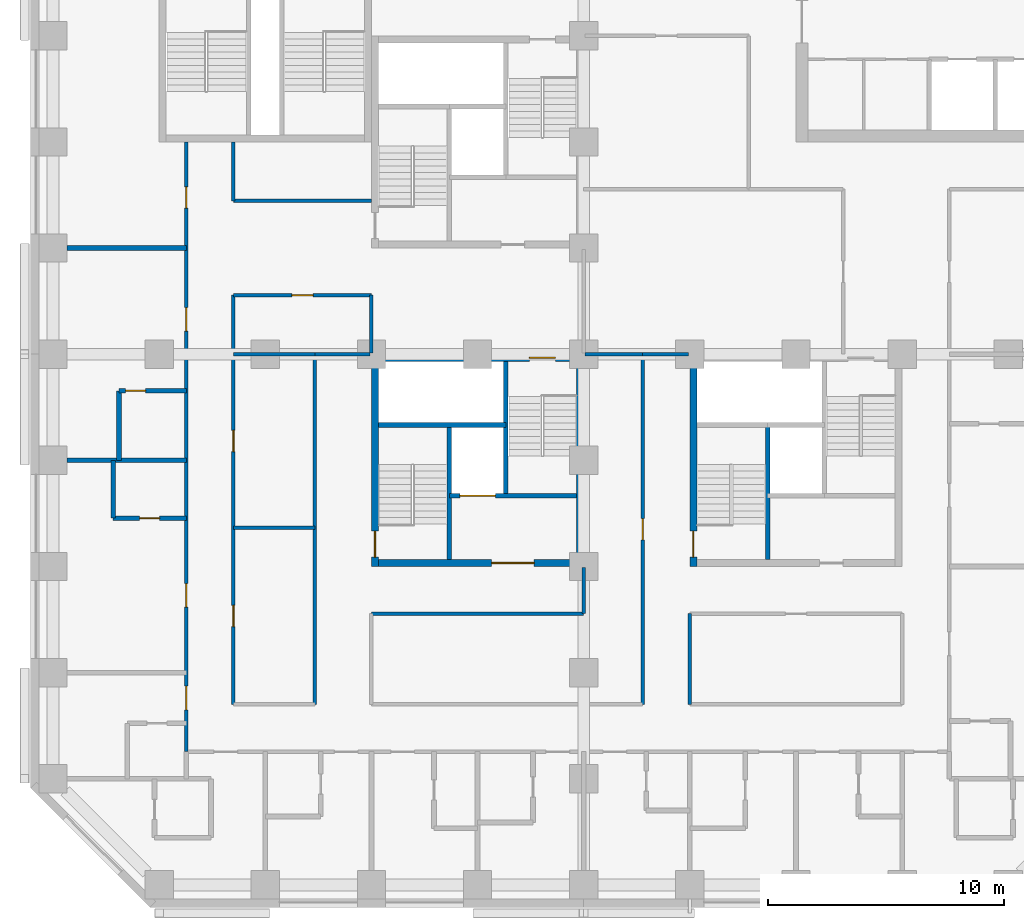
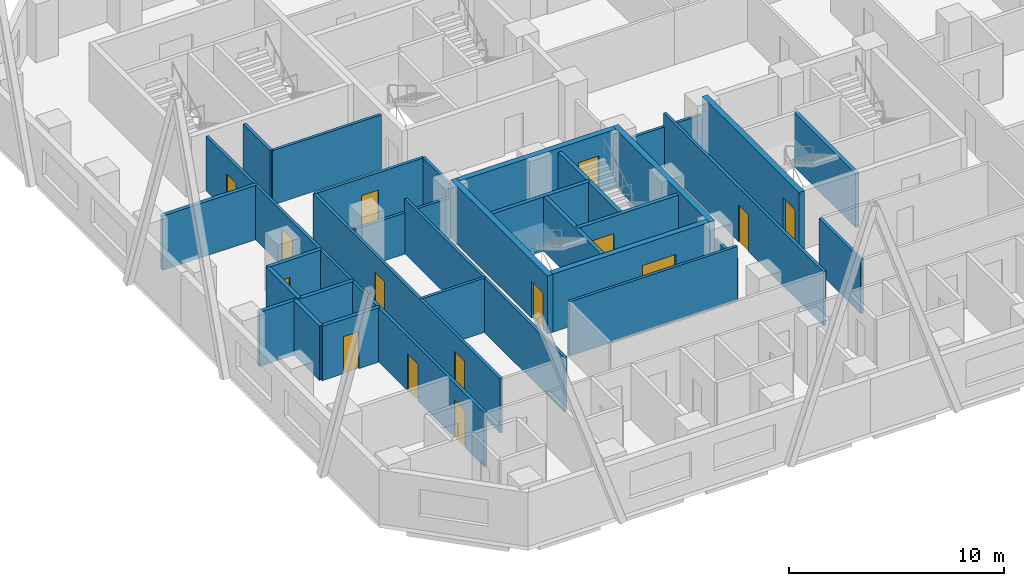
# One storey, part 4 of 13: 32 walls, 15 doors, 15 openings.
"""IFC4 building model written with IfcOpenShell, lengths in metres."""

from ifc_helpers import new_model, si_unit, direction, frame, frame_2d, origin, place, context, subcontext, project, spatial, rectangle, extrude, material, layer, layer_set, type_object, element, fill, save


model = new_model("IFC4")

# Units and contexts
model_context = context("Model", 3, precision=1e-05, world=origin(), true_north=direction((0.0, 1.0)))
body_context = subcontext(model_context, "Body", "Model", "MODEL_VIEW")
ifc_project = project(units=[si_unit("LENGTHUNIT", "METRE"), si_unit("AREAUNIT", "SQUARE_METRE"), si_unit("VOLUMEUNIT", "CUBIC_METRE"), si_unit("PLANEANGLEUNIT", "RADIAN"), si_unit("MASSUNIT", "GRAM", prefix="KILO")], contexts=[model_context])

# Site, building, storey
site_placement = place(None, origin())
site = spatial("IfcSite", under=ifc_project, at=site_placement, CompositionType="ELEMENT")
building_placement = place(site_placement, origin())
building = spatial("IfcBuilding", under=site, at=building_placement, Name="Quoin Convention Tower", CompositionType="ELEMENT")
storey_placement = place(building_placement, frame((0.0, 0.0, 26.39990234375)))
storey = spatial("IfcBuildingStorey", under=building, at=storey_placement, Name="L05", CompositionType="ELEMENT", Elevation=26.39990234375)

# Wall
ifc_material_1 = material(Name="Concrete C50", Category="concrete")
ifc_layer_1 = layer(ifc_material_1, 0.199951171875)
ifc_layer_set_1 = layer_set([ifc_layer_1], Name="Concrete C50")
wall_type_1 = type_object("IfcWallType", Name="Core shaft wall", PredefinedType="SOLIDWALL", material=ifc_layer_set_1)
wall_1_placement = place(storey_placement, frame((43.800048828125, 31.800048828125, 0.0), z_axis=(0.0, 0.0, 1.0), x_axis=(0.0, 1.0, 0.0)))
element("IfcWall", 1, at=wall_1_placement, inside=storey, type_object=wall_type_1, Name="cr-P3-L05-v3300_300", PredefinedType="SOLIDWALL", context=body_context, shape_type="SweptSolid", body=[
    extrude(rectangle(XDim=5.699951171875, YDim=0.199951171875, at=frame_2d((2.85009765625, 0.0))), origin(), (0.0, 0.0, 1.0), 3.080078125),
])

# Wall, opening, door
wall_2_placement = place(storey_placement, frame((30.300048828125, 34.5, 0.0), z_axis=(0.0, 0.0, 1.0), x_axis=(1.0, 0.0, 0.0)))
wall_2 = element("IfcWall", 2, at=wall_2_placement, inside=storey, type_object=wall_type_1, Name="cr-P4-L05-h3000_3300", PredefinedType="SOLIDWALL", context=body_context, shape_type="SweptSolid", body=[
    extrude(rectangle(XDim=5.39990234375, YDim=0.199951171875, at=frame_2d((2.699951171875, 0.0))), origin(), (0.0, 0.0, 1.0), 3.080078125),
])
opening_1_placement = place(wall_2_placement, frame((0.449951171875, 0.0, 0.0)))
opening_1 = element("IfcOpeningElement", 3, at=opening_1_placement, cuts=wall_2, Name="Opening LDGL1", PredefinedType="OPENING", context=body_context, shape_type="SweptSolid", body=[
    extrude(rectangle(XDim=1.5, YDim=2.10009765625, at=frame_2d((0.75, 1.050048828125))), frame((0.0, 0.10986328125, 0.0), z_axis=(0.0, -1.0, 0.0), x_axis=(1.0, 0.0, 0.0)), (0.0, 0.0, 1.0), 0.219970703125),
])
ifc_material_2 = material(Name="Steel door leaf", Category="steel")
door_type_1 = type_object("IfcDoorType", Name="Lift landing door 1500 x 2100", OperationType="DOUBLE_DOOR_SLIDING", PredefinedType="DOOR", material=ifc_material_2)
door_1_placement = place(opening_1_placement, origin())
door_1 = element("IfcDoor", 4, at=door_1_placement, inside=storey, type_object=door_type_1, Name="cd-P4-L05-CEN-R2-LDGL1", OperationType="DOUBLE_DOOR_SLIDING", OverallHeight=2.10009765625, OverallWidth=1.5, PredefinedType="DOOR", context=body_context, shape_type="SweptSolid", body=[
    extrude(rectangle(XDim=1.5, YDim=2.10009765625, at=frame_2d((0.75, 1.050048828125))), frame((0.0, 0.02490234375, 0.0), z_axis=(0.0, -1.0, 0.0), x_axis=(1.0, 0.0, 0.0)), (0.0, 0.0, 1.0), 0.050048828125),
])
fill(opening_1, door_1)

# Walls
wall_3_placement = place(storey_placement, frame((27.300048828125, 37.5, 0.0), z_axis=(0.0, 0.0, 1.0), x_axis=(1.0, 0.0, 0.0)))
element("IfcWall", 5, at=wall_3_placement, inside=storey, type_object=wall_type_1, Name="cr-P4-L05-h6000_300", PredefinedType="SOLIDWALL", context=body_context, shape_type="SweptSolid", body=[
    extrude(rectangle(XDim=5.39990234375, YDim=0.199951171875, at=frame_2d((2.699951171875, 0.0))), origin(), (0.0, 0.0, 1.0), 3.080078125),
])
for number, where, z_axis, x_axis, name in (
    (6, (30.300048828125, 31.800048828125, 0.0), (0.0, 0.0, 1.0), (0.0, 1.0, 0.0), "cr-P4-L05-v3300_300"),
    (7, (32.699951171875, 34.5, 0.0), (0.0, 0.0, 1.0), (0.0, 1.0, 0.0), "cr-P4-L05-v5700_3000"),
):
    element("IfcWall", number, at=place(storey_placement, frame(where, z_axis=z_axis, x_axis=x_axis)), inside=storey, type_object=wall_type_1, Name=name, PredefinedType="SOLIDWALL", context=body_context, shape_type="SweptSolid", body=[
        extrude(rectangle(XDim=5.699951171875, YDim=0.199951171875, at=frame_2d((2.85009765625, 0.0))), origin(), (0.0, 0.0, 1.0), 3.080078125),
    ])

# Wall, opening, door
ifc_material_3 = material(Name="Concrete C80", Category="concrete")
ifc_layer_2 = layer(ifc_material_3, 0.300048828125)
ifc_layer_set_2 = layer_set([ifc_layer_2], Name="Concrete C80")
wall_type_2 = type_object("IfcWallType", Name="RC CORE WALL 300 C80", PredefinedType="SHEAR", material=ifc_layer_set_2)
wall_4_placement = place(storey_placement, frame((40.64990234375, 31.5, 0.0), z_axis=(0.0, 0.0, 1.0), x_axis=(0.0, 1.0, 0.0)))
wall_4 = element("IfcWall", 8, at=wall_4_placement, inside=storey, type_object=wall_type_2, Name="cwl-P3-L05-W", PredefinedType="SHEAR", context=body_context, shape_type="SweptSolid", body=[
    extrude(rectangle(XDim=9.0, YDim=0.300048828125, at=frame_2d((4.5, 0.0))), origin(), (0.0, 0.0, 1.0), 3.300048828125),
])
opening_2_placement = place(wall_4_placement, frame((0.39990234375, 0.0, 0.0)))
opening_2 = element("IfcOpeningElement", 9, at=opening_2_placement, cuts=wall_4, Name="Opening SD5", PredefinedType="OPENING", context=body_context, shape_type="SweptSolid", body=[
    extrude(rectangle(XDim=1.10009765625, YDim=2.10009765625, at=frame_2d((0.550048828125, 1.050048828125))), frame((0.0, 0.159912109375, 0.0), z_axis=(0.0, -1.0, 0.0), x_axis=(1.0, 0.0, 0.0)), (0.0, 0.0, 1.0), 0.320068359375),
])
door_type_2 = type_object("IfcDoorType", Name="Stair door 1100 x 2100", OperationType="SINGLE_SWING_RIGHT", PredefinedType="DOOR", material=ifc_material_2)
door_2_placement = place(opening_2_placement, frame((1.10009765625, 0.0, 0.0), z_axis=(0.0, 0.0, 1.0), x_axis=(-1.0, 0.0, 0.0)))
door_2 = element("IfcDoor", 10, at=door_2_placement, inside=storey, type_object=door_type_2, Name="cd-P3-L05-SA-W", OperationType="SINGLE_SWING_RIGHT", OverallHeight=2.10009765625, OverallWidth=1.10009765625, PredefinedType="DOOR", context=body_context, shape_type="SweptSolid", body=[
    extrude(rectangle(XDim=1.10009765625, YDim=2.10009765625, at=frame_2d((0.550048828125, 1.050048828125))), frame((0.0, 0.02490234375, 0.0), z_axis=(0.0, -1.0, 0.0), x_axis=(1.0, 0.0, 0.0)), (0.0, 0.0, 1.0), 0.050048828125),
])
fill(opening_2, door_2)

wall_5_placement = place(storey_placement, frame((27.300048828125, 31.64990234375, 0.0), z_axis=(0.0, 0.0, 1.0), x_axis=(1.0, 0.0, 0.0)))
wall_5 = element("IfcWall", 11, at=wall_5_placement, inside=storey, type_object=wall_type_2, Name="cwl-P4-L05-S", PredefinedType="SHEAR", context=body_context, shape_type="SweptSolid", body=[
    extrude(rectangle(XDim=8.39990234375, YDim=0.300048828125, at=frame_2d((4.199951171875, 0.0))), origin(), (0.0, 0.0, 1.0), 3.300048828125),
])
opening_3_placement = place(wall_5_placement, frame((4.800048828125, 0.0, 0.0)))
opening_3 = element("IfcOpeningElement", 12, at=opening_3_placement, cuts=wall_5, Name="Opening DCV2-43", PredefinedType="OPENING", context=body_context, shape_type="SweptSolid", body=[
    extrude(rectangle(XDim=1.800048828125, YDim=2.10009765625, at=frame_2d((0.89990234375, 1.050048828125))), frame((0.0, 0.159912109375, 0.0), z_axis=(0.0, -1.0, 0.0), x_axis=(1.0, 0.0, 0.0)), (0.0, 0.0, 1.0), 0.320068359375),
])
door_type_3 = type_object("IfcDoorType", Name="Goods lobby door 1800 x 2100", OperationType="SINGLE_SWING_LEFT", PredefinedType="DOOR", material=ifc_material_2)
door_3_placement = place(opening_3_placement, origin())
door_3 = element("IfcDoor", 13, at=door_3_placement, inside=storey, type_object=door_type_3, Name="cd-P4-L05-R2-S", OperationType="SINGLE_SWING_LEFT", OverallHeight=2.10009765625, OverallWidth=1.800048828125, PredefinedType="DOOR", context=body_context, shape_type="SweptSolid", body=[
    extrude(rectangle(XDim=1.800048828125, YDim=2.10009765625, at=frame_2d((0.89990234375, 1.050048828125))), frame((0.0, 0.02490234375, 0.0), z_axis=(0.0, -1.0, 0.0), x_axis=(1.0, 0.0, 0.0)), (0.0, 0.0, 1.0), 0.050048828125),
])
fill(opening_3, door_3)

wall_6_placement = place(storey_placement, frame((27.300048828125, 40.35009765625, 0.0), z_axis=(0.0, 0.0, 1.0), x_axis=(1.0, 0.0, 0.0)))
wall_6 = element("IfcWall", 14, at=wall_6_placement, inside=storey, type_object=wall_type_2, Name="cwl-P4-L05-N", PredefinedType="SHEAR", context=body_context, shape_type="SweptSolid", body=[
    extrude(rectangle(XDim=8.39990234375, YDim=0.300048828125, at=frame_2d((4.199951171875, 0.0))), origin(), (0.0, 0.0, 1.0), 3.300048828125),
])
opening_4_placement = place(wall_6_placement, frame((6.39990234375, 0.0, 0.0)))
opening_4 = element("IfcOpeningElement", 15, at=opening_4_placement, cuts=wall_6, Name="Opening SD8", PredefinedType="OPENING", context=body_context, shape_type="SweptSolid", body=[
    extrude(rectangle(XDim=1.10009765625, YDim=2.10009765625, at=frame_2d((0.550048828125, 1.050048828125))), frame((0.0, 0.159912109375, 0.0), z_axis=(0.0, -1.0, 0.0), x_axis=(1.0, 0.0, 0.0)), (0.0, 0.0, 1.0), 0.320068359375),
])
door_4_placement = place(opening_4_placement, frame((1.10009765625, 0.0, 0.0), z_axis=(0.0, 0.0, 1.0), x_axis=(-1.0, 0.0, 0.0)))
door_4 = element("IfcDoor", 16, at=door_4_placement, inside=storey, type_object=door_type_2, Name="cd-P4-L05-SB-N", OperationType="SINGLE_SWING_LEFT", OverallHeight=2.10009765625, OverallWidth=1.10009765625, PredefinedType="DOOR", context=body_context, shape_type="SweptSolid", body=[
    extrude(rectangle(XDim=1.10009765625, YDim=2.10009765625, at=frame_2d((0.550048828125, 1.050048828125))), frame((0.0, 0.02490234375, 0.0), z_axis=(0.0, -1.0, 0.0), x_axis=(1.0, 0.0, 0.0)), (0.0, 0.0, 1.0), 0.050048828125),
])
fill(opening_4, door_4)

wall_7_placement = place(storey_placement, frame((27.14990234375, 31.5, 0.0), z_axis=(0.0, 0.0, 1.0), x_axis=(0.0, 1.0, 0.0)))
wall_7 = element("IfcWall", 17, at=wall_7_placement, inside=storey, type_object=wall_type_2, Name="cwl-P4-L05-W", PredefinedType="SHEAR", context=body_context, shape_type="SweptSolid", body=[
    extrude(rectangle(XDim=9.0, YDim=0.300048828125, at=frame_2d((4.5, 0.0))), origin(), (0.0, 0.0, 1.0), 3.300048828125),
])
opening_5_placement = place(wall_7_placement, frame((0.39990234375, 0.0, 0.0)))
opening_5 = element("IfcOpeningElement", 18, at=opening_5_placement, cuts=wall_7, Name="Opening SD7", PredefinedType="OPENING", context=body_context, shape_type="SweptSolid", body=[
    extrude(rectangle(XDim=1.10009765625, YDim=2.10009765625, at=frame_2d((0.550048828125, 1.050048828125))), frame((0.0, 0.159912109375, 0.0), z_axis=(0.0, -1.0, 0.0), x_axis=(1.0, 0.0, 0.0)), (0.0, 0.0, 1.0), 0.320068359375),
])
door_5_placement = place(opening_5_placement, frame((1.10009765625, 0.0, 0.0), z_axis=(0.0, 0.0, 1.0), x_axis=(-1.0, 0.0, 0.0)))
door_5 = element("IfcDoor", 19, at=door_5_placement, inside=storey, type_object=door_type_2, Name="cd-P4-L05-SA-W", OperationType="SINGLE_SWING_RIGHT", OverallHeight=2.10009765625, OverallWidth=1.10009765625, PredefinedType="DOOR", context=body_context, shape_type="SweptSolid", body=[
    extrude(rectangle(XDim=1.10009765625, YDim=2.10009765625, at=frame_2d((0.550048828125, 1.050048828125))), frame((0.0, 0.02490234375, 0.0), z_axis=(0.0, -1.0, 0.0), x_axis=(1.0, 0.0, 0.0)), (0.0, 0.0, 1.0), 0.050048828125),
])
fill(opening_5, door_5)

# Wall
wall_8_placement = place(storey_placement, frame((35.85009765625, 31.5, 0.0), z_axis=(0.0, 0.0, 1.0), x_axis=(0.0, 1.0, 0.0)))
element("IfcWall", 20, at=wall_8_placement, inside=storey, type_object=wall_type_2, Name="cwl-P4-L05-E", PredefinedType="SHEAR", context=body_context, shape_type="SweptSolid", body=[
    extrude(rectangle(XDim=9.0, YDim=0.300048828125, at=frame_2d((4.5, 0.0))), origin(), (0.0, 0.0, 1.0), 3.300048828125),
])

# Wall, opening, door
ifc_layer_3 = layer(ifc_material_1, 0.199951171875)
ifc_layer_set_3 = layer_set([ifc_layer_3], Name="Concrete C50")
wall_type_3 = type_object("IfcWallType", Name="RC party wall", PredefinedType="SOLIDWALL", material=ifc_layer_set_3)
wall_9_placement = place(storey_placement, frame((16.050048828125, 33.550048828125, 0.0), z_axis=(0.0, 0.0, 1.0), x_axis=(1.0, 0.0, 0.0)))
wall_9 = element("IfcWall", 21, at=wall_9_placement, inside=storey, type_object=wall_type_3, Name="pw-L05-072", PredefinedType="SOLIDWALL", context=body_context, shape_type="SweptSolid", body=[
    extrude(rectangle(XDim=3.099853515625, YDim=0.199951171875, at=frame_2d((1.5498046875, 0.0))), origin(), (0.0, 0.0, 1.0), 3.080078125),
])
opening_6_placement = place(wall_9_placement, frame((1.125, 0.0, 0.0)))
opening_6 = element("IfcOpeningElement", 22, at=opening_6_placement, cuts=wall_9, Name="Opening DHOTEL-A-49", PredefinedType="OPENING", context=body_context, shape_type="SweptSolid", body=[
    extrude(rectangle(XDim=0.85009765625, YDim=2.10009765625, at=frame_2d((0.425048828125, 1.050048828125))), frame((0.0, 0.10986328125, 0.0), z_axis=(0.0, -1.0, 0.0), x_axis=(1.0, 0.0, 0.0)), (0.0, 0.0, 1.0), 0.219970703125),
])
door_type_4 = type_object("IfcDoorType", Name="Bathroom door", OperationType="SINGLE_SWING_LEFT", PredefinedType="DOOR", material=ifc_material_2)
door_6_placement = place(opening_6_placement, frame((0.85009765625, 0.0, 0.0), z_axis=(0.0, 0.0, 1.0), x_axis=(-1.0, 0.0, 0.0)))
door_6 = element("IfcDoor", 23, at=door_6_placement, inside=storey, type_object=door_type_4, Name="dr-L05-016", OperationType="SINGLE_SWING_LEFT", OverallHeight=2.10009765625, OverallWidth=0.85009765625, PredefinedType="DOOR", context=body_context, shape_type="SweptSolid", body=[
    extrude(rectangle(XDim=0.85009765625, YDim=2.10009765625, at=frame_2d((0.425048828125, 1.050048828125))), frame((0.0, 0.02490234375, 0.0), z_axis=(0.0, -1.0, 0.0), x_axis=(1.0, 0.0, 0.0)), (0.0, 0.0, 1.0), 0.050048828125),
])
fill(opening_6, door_6)

# Walls
wall_10_placement = place(storey_placement, frame((16.050048828125, 33.550048828125, 0.0), z_axis=(0.0, 0.0, 1.0), x_axis=(0.0, 1.0, 0.0)))
element("IfcWall", 24, at=wall_10_placement, inside=storey, type_object=wall_type_3, Name="pw-L05-073", PredefinedType="SOLIDWALL", context=body_context, shape_type="SweptSolid", body=[
    extrude(rectangle(XDim=2.449951171875, YDim=0.199951171875, at=frame_2d((1.22509765625, 0.0))), origin(), (0.0, 0.0, 1.0), 3.080078125),
])
wall_11_placement = place(storey_placement, frame((14.10009765625, 36.0, 0.0), z_axis=(0.0, 0.0, 1.0), x_axis=(1.0, 0.0, 0.0)))
element("IfcWall", 25, at=wall_11_placement, inside=storey, type_object=wall_type_3, Name="pw-L05-074", PredefinedType="SOLIDWALL", context=body_context, shape_type="SweptSolid", body=[
    extrude(rectangle(XDim=5.0498046875, YDim=0.199951171875, at=frame_2d((2.52490234375, 0.0))), origin(), (0.0, 0.0, 1.0), 3.080078125),
])
wall_12_placement = place(storey_placement, frame((16.300048828125, 36.0, 0.0), z_axis=(0.0, 0.0, 1.0), x_axis=(0.0, 1.0, 0.0)))
element("IfcWall", 26, at=wall_12_placement, inside=storey, type_object=wall_type_3, Name="pw-L05-075", PredefinedType="SOLIDWALL", context=body_context, shape_type="SweptSolid", body=[
    extrude(rectangle(XDim=2.949951171875, YDim=0.199951171875, at=frame_2d((1.47509765625, 0.0))), origin(), (0.0, 0.0, 1.0), 3.080078125),
])

# Wall, opening, door
wall_13_placement = place(storey_placement, frame((16.300048828125, 38.949951171875, 0.0), z_axis=(0.0, 0.0, 1.0), x_axis=(1.0, 0.0, 0.0)))
wall_13 = element("IfcWall", 27, at=wall_13_placement, inside=storey, type_object=wall_type_3, Name="pw-L05-078", PredefinedType="SOLIDWALL", context=body_context, shape_type="SweptSolid", body=[
    extrude(rectangle(XDim=2.849853515625, YDim=0.199951171875, at=frame_2d((1.4248046875, 0.0))), origin(), (0.0, 0.0, 1.0), 3.080078125),
])
opening_7_placement = place(wall_13_placement, frame((0.27490234375, 0.0, 0.0)))
opening_7 = element("IfcOpeningElement", 28, at=opening_7_placement, cuts=wall_13, Name="Opening DHOTEL-A-51", PredefinedType="OPENING", context=body_context, shape_type="SweptSolid", body=[
    extrude(rectangle(XDim=0.85009765625, YDim=2.10009765625, at=frame_2d((0.425048828125, 1.050048828125))), frame((0.0, 0.10986328125, 0.0), z_axis=(0.0, -1.0, 0.0), x_axis=(1.0, 0.0, 0.0)), (0.0, 0.0, 1.0), 0.219970703125),
])
door_7_placement = place(opening_7_placement, origin())
door_7 = element("IfcDoor", 29, at=door_7_placement, inside=storey, type_object=door_type_4, Name="dr-L05-018", OperationType="SINGLE_SWING_LEFT", OverallHeight=2.10009765625, OverallWidth=0.85009765625, PredefinedType="DOOR", context=body_context, shape_type="SweptSolid", body=[
    extrude(rectangle(XDim=0.85009765625, YDim=2.10009765625, at=frame_2d((0.425048828125, 1.050048828125))), frame((0.0, 0.02490234375, 0.0), z_axis=(0.0, -1.0, 0.0), x_axis=(1.0, 0.0, 0.0)), (0.0, 0.0, 1.0), 0.050048828125),
])
fill(opening_7, door_7)

# Wall
wall_14_placement = place(storey_placement, frame((14.10009765625, 45.0, 0.0), z_axis=(0.0, 0.0, 1.0), x_axis=(1.0, 0.0, 0.0)))
element("IfcWall", 30, at=wall_14_placement, inside=storey, type_object=wall_type_3, Name="pw-L05-088", PredefinedType="SOLIDWALL", context=body_context, shape_type="SweptSolid", body=[
    extrude(rectangle(XDim=5.0498046875, YDim=0.199951171875, at=frame_2d((2.52490234375, 0.0))), origin(), (0.0, 0.0, 1.0), 3.080078125),
])

# Wall, openings, doors
ifc_material_4 = material(Name="Plasterboard")
ifc_layer_4 = layer(ifc_material_4, 0.012451171875, Name="Finish")
ifc_material_5 = material(Name="Steel stud framing", Category="steel")
ifc_layer_5 = layer(ifc_material_5, 0.125, Name="Structure")
ifc_layer_6 = layer(ifc_material_4, 0.012451171875, Name="Finish")
ifc_layer_set_4 = layer_set([ifc_layer_4, ifc_layer_5, ifc_layer_6], Name="Steel stud framing")
wall_type_4 = type_object("IfcWallType", Name="corridor partition", PredefinedType="PARTITIONING", material=ifc_layer_set_4)
wall_15_placement = place(storey_placement, frame((19.14990234375, 23.64990234375, 0.0), z_axis=(0.0, 0.0, 1.0), x_axis=(0.0, 1.0, 0.0)))
wall_15 = element("IfcWall", 31, at=wall_15_placement, inside=storey, type_object=wall_type_4, Name="pw-L05-006", PredefinedType="PARTITIONING", context=body_context, shape_type="SweptSolid", body=[
    extrude(rectangle(XDim=25.85009765625, YDim=0.14990234375, at=frame_2d((12.925048828125, 0.0))), origin(), (0.0, 0.0, 1.0), 3.080078125),
])
opening_8_placement = place(wall_15_placement, frame((1.77490234375, 0.0, 0.0)))
opening_8 = element("IfcOpeningElement", 32, at=opening_8_placement, cuts=wall_15, Name="Opening DHOTEL-A-09", PredefinedType="OPENING", context=body_context, shape_type="SweptSolid", body=[
    extrude(rectangle(XDim=1.0, YDim=2.10009765625, at=frame_2d((0.5, 1.050048828125))), frame((0.0, 0.0849609375, 0.0), z_axis=(0.0, -1.0, 0.0), x_axis=(1.0, 0.0, 0.0)), (0.0, 0.0, 1.0), 0.169921875),
])
opening_9_placement = place(wall_15_placement, frame((6.125, 0.0, 0.0)))
opening_9 = element("IfcOpeningElement", 33, at=opening_9_placement, cuts=wall_15, Name="Opening DHOTEL-A-10", PredefinedType="OPENING", context=body_context, shape_type="SweptSolid", body=[
    extrude(rectangle(XDim=1.0, YDim=2.10009765625, at=frame_2d((0.5, 1.050048828125))), frame((0.0, 0.0849609375, 0.0), z_axis=(0.0, -1.0, 0.0), x_axis=(1.0, 0.0, 0.0)), (0.0, 0.0, 1.0), 0.169921875),
])
opening_10_placement = place(wall_15_placement, frame((17.824951171875, 0.0, 0.0)))
opening_10 = element("IfcOpeningElement", 34, at=opening_10_placement, cuts=wall_15, Name="Opening DHOTEL-A-11", PredefinedType="OPENING", context=body_context, shape_type="SweptSolid", body=[
    extrude(rectangle(XDim=1.0, YDim=2.10009765625, at=frame_2d((0.5, 1.050048828125))), frame((0.0, 0.0849609375, 0.0), z_axis=(0.0, -1.0, 0.0), x_axis=(1.0, 0.0, 0.0)), (0.0, 0.0, 1.0), 0.169921875),
])
opening_11_placement = place(wall_15_placement, frame((23.0400390625, 0.0, 0.0)))
opening_11 = element("IfcOpeningElement", 35, at=opening_11_placement, cuts=wall_15, Name="Opening DHOTEL-A-12", PredefinedType="OPENING", context=body_context, shape_type="SweptSolid", body=[
    extrude(rectangle(XDim=0.89990234375, YDim=2.10009765625, at=frame_2d((0.449951171875, 1.050048828125))), frame((0.0, 0.0849609375, 0.0), z_axis=(0.0, -1.0, 0.0), x_axis=(1.0, 0.0, 0.0)), (0.0, 0.0, 1.0), 0.169921875),
])
door_type_5 = type_object("IfcDoorType", Name="Hotel room door", OperationType="SINGLE_SWING_LEFT", PredefinedType="DOOR", material=ifc_material_2)
door_8_placement = place(opening_8_placement, origin())
door_8 = element("IfcDoor", 36, at=door_8_placement, inside=storey, type_object=door_type_5, Name="dr-L05-013", OperationType="SINGLE_SWING_RIGHT", OverallHeight=2.10009765625, OverallWidth=1.0, PredefinedType="DOOR", context=body_context, shape_type="SweptSolid", body=[
    extrude(rectangle(XDim=1.0, YDim=2.10009765625, at=frame_2d((0.5, 1.050048828125))), frame((0.0, 0.02490234375, 0.0), z_axis=(0.0, -1.0, 0.0), x_axis=(1.0, 0.0, 0.0)), (0.0, 0.0, 1.0), 0.050048828125),
])
fill(opening_8, door_8)
door_9_placement = place(opening_9_placement, origin())
door_9 = element("IfcDoor", 37, at=door_9_placement, inside=storey, type_object=door_type_5, Name="dr-L05-015", OperationType="SINGLE_SWING_RIGHT", OverallHeight=2.10009765625, OverallWidth=1.0, PredefinedType="DOOR", context=body_context, shape_type="SweptSolid", body=[
    extrude(rectangle(XDim=1.0, YDim=2.10009765625, at=frame_2d((0.5, 1.050048828125))), frame((0.0, 0.02490234375, 0.0), z_axis=(0.0, -1.0, 0.0), x_axis=(1.0, 0.0, 0.0)), (0.0, 0.0, 1.0), 0.050048828125),
])
fill(opening_9, door_9)
door_10_placement = place(opening_10_placement, origin())
door_10 = element("IfcDoor", 38, at=door_10_placement, inside=storey, type_object=door_type_5, Name="dr-L05-017", OperationType="SINGLE_SWING_RIGHT", OverallHeight=2.10009765625, OverallWidth=1.0, PredefinedType="DOOR", context=body_context, shape_type="SweptSolid", body=[
    extrude(rectangle(XDim=1.0, YDim=2.10009765625, at=frame_2d((0.5, 1.050048828125))), frame((0.0, 0.02490234375, 0.0), z_axis=(0.0, -1.0, 0.0), x_axis=(1.0, 0.0, 0.0)), (0.0, 0.0, 1.0), 0.050048828125),
])
fill(opening_10, door_10)
door_type_6 = type_object("IfcDoorType", Name="Single room door", OperationType="SINGLE_SWING_RIGHT", PredefinedType="DOOR", material=ifc_material_2)
door_11_placement = place(opening_11_placement, origin())
door_11 = element("IfcDoor", 39, at=door_11_placement, inside=storey, type_object=door_type_6, Name="dr-L05-w01", OperationType="SINGLE_SWING_LEFT", OverallHeight=2.10009765625, OverallWidth=0.89990234375, PredefinedType="DOOR", context=body_context, shape_type="SweptSolid", body=[
    extrude(rectangle(XDim=0.89990234375, YDim=2.10009765625, at=frame_2d((0.449951171875, 1.050048828125))), frame((0.0, 0.02490234375, 0.0), z_axis=(0.0, -1.0, 0.0), x_axis=(1.0, 0.0, 0.0)), (0.0, 0.0, 1.0), 0.050048828125),
])
fill(opening_11, door_11)

wall_16_placement = place(storey_placement, frame((21.14990234375, 25.64990234375, 0.0), z_axis=(0.0, 0.0, 1.0), x_axis=(0.0, 1.0, 0.0)))
wall_16 = element("IfcWall", 40, at=wall_16_placement, inside=storey, type_object=wall_type_4, Name="pw-L05-009", PredefinedType="PARTITIONING", context=body_context, shape_type="SweptSolid", body=[
    extrude(rectangle(XDim=17.35009765625, YDim=0.14990234375, at=frame_2d((8.675048828125, 0.0))), origin(), (0.0, 0.0, 1.0), 3.080078125),
])
opening_12_placement = place(wall_16_placement, frame((3.300048828125, 0.0, 0.0)))
opening_12 = element("IfcOpeningElement", 41, at=opening_12_placement, cuts=wall_16, Name="Opening DHOTEL-A-16", PredefinedType="OPENING", context=body_context, shape_type="SweptSolid", body=[
    extrude(rectangle(XDim=0.89990234375, YDim=2.10009765625, at=frame_2d((0.449951171875, 1.050048828125))), frame((0.0, 0.0849609375, 0.0), z_axis=(0.0, -1.0, 0.0), x_axis=(1.0, 0.0, 0.0)), (0.0, 0.0, 1.0), 0.169921875),
])
opening_13_placement = place(wall_16_placement, frame((10.72509765625, 0.0, 0.0)))
opening_13 = element("IfcOpeningElement", 42, at=opening_13_placement, cuts=wall_16, Name="Opening DHOTEL-A-17", PredefinedType="OPENING", context=body_context, shape_type="SweptSolid", body=[
    extrude(rectangle(XDim=0.89990234375, YDim=2.10009765625, at=frame_2d((0.449951171875, 1.050048828125))), frame((0.0, 0.0849609375, 0.0), z_axis=(0.0, -1.0, 0.0), x_axis=(1.0, 0.0, 0.0)), (0.0, 0.0, 1.0), 0.169921875),
])
door_type_7 = type_object("IfcDoorType", Name="Service room door", OperationType="SINGLE_SWING_LEFT", PredefinedType="DOOR", material=ifc_material_2)
door_12_placement = place(opening_12_placement, frame((0.89990234375, 0.0, 0.0), z_axis=(0.0, 0.0, 1.0), x_axis=(-1.0, 0.0, 0.0)))
door_12 = element("IfcDoor", 43, at=door_12_placement, inside=storey, type_object=door_type_7, Name="dr-L05-066", OperationType="SINGLE_SWING_LEFT", OverallHeight=2.10009765625, OverallWidth=0.89990234375, PredefinedType="DOOR", context=body_context, shape_type="SweptSolid", body=[
    extrude(rectangle(XDim=0.89990234375, YDim=2.10009765625, at=frame_2d((0.449951171875, 1.050048828125))), frame((0.0, 0.02490234375, 0.0), z_axis=(0.0, -1.0, 0.0), x_axis=(1.0, 0.0, 0.0)), (0.0, 0.0, 1.0), 0.050048828125),
])
fill(opening_12, door_12)
door_13_placement = place(opening_13_placement, frame((0.89990234375, 0.0, 0.0), z_axis=(0.0, 0.0, 1.0), x_axis=(-1.0, 0.0, 0.0)))
door_13 = element("IfcDoor", 44, at=door_13_placement, inside=storey, type_object=door_type_7, Name="dr-L05-067", OperationType="SINGLE_SWING_LEFT", OverallHeight=2.10009765625, OverallWidth=0.89990234375, PredefinedType="DOOR", context=body_context, shape_type="SweptSolid", body=[
    extrude(rectangle(XDim=0.89990234375, YDim=2.10009765625, at=frame_2d((0.449951171875, 1.050048828125))), frame((0.0, 0.02490234375, 0.0), z_axis=(0.0, -1.0, 0.0), x_axis=(1.0, 0.0, 0.0)), (0.0, 0.0, 1.0), 0.050048828125),
])
fill(opening_13, door_13)

# Wall
wall_17_placement = place(storey_placement, frame((24.60009765625, 25.64990234375, 0.0), z_axis=(0.0, 0.0, 1.0), x_axis=(0.0, 1.0, 0.0)))
element("IfcWall", 45, at=wall_17_placement, inside=storey, type_object=wall_type_4, Name="pw-L05-010", PredefinedType="PARTITIONING", context=body_context, shape_type="SweptSolid", body=[
    extrude(rectangle(XDim=14.85009765625, YDim=0.14990234375, at=frame_2d((7.425048828125, 0.0))), origin(), (0.0, 0.0, 1.0), 3.080078125),
])

# Wall, opening, door
wall_18_placement = place(storey_placement, frame((38.5, 25.64990234375, 0.0), z_axis=(0.0, 0.0, 1.0), x_axis=(0.0, 1.0, 0.0)))
wall_18 = element("IfcWall", 46, at=wall_18_placement, inside=storey, type_object=wall_type_4, Name="pw-L05-013", PredefinedType="PARTITIONING", context=body_context, shape_type="SweptSolid", body=[
    extrude(rectangle(XDim=14.85009765625, YDim=0.14990234375, at=frame_2d((7.425048828125, 0.0))), origin(), (0.0, 0.0, 1.0), 3.080078125),
])
opening_14_placement = place(wall_18_placement, frame((6.97509765625, 0.0, 0.0)))
opening_14 = element("IfcOpeningElement", 47, at=opening_14_placement, cuts=wall_18, Name="Opening DHOTEL-A-18", PredefinedType="OPENING", context=body_context, shape_type="SweptSolid", body=[
    extrude(rectangle(XDim=0.89990234375, YDim=2.10009765625, at=frame_2d((0.449951171875, 1.050048828125))), frame((0.0, 0.0849609375, 0.0), z_axis=(0.0, -1.0, 0.0), x_axis=(1.0, 0.0, 0.0)), (0.0, 0.0, 1.0), 0.169921875),
])
door_14_placement = place(opening_14_placement, origin())
door_14 = element("IfcDoor", 48, at=door_14_placement, inside=storey, type_object=door_type_6, Name="dr-L05-065", OperationType="SINGLE_SWING_RIGHT", OverallHeight=2.10009765625, OverallWidth=0.89990234375, PredefinedType="DOOR", context=body_context, shape_type="SweptSolid", body=[
    extrude(rectangle(XDim=0.89990234375, YDim=2.10009765625, at=frame_2d((0.449951171875, 1.050048828125))), frame((0.0, 0.02490234375, 0.0), z_axis=(0.0, -1.0, 0.0), x_axis=(1.0, 0.0, 0.0)), (0.0, 0.0, 1.0), 0.050048828125),
])
fill(opening_14, door_14)

# Walls
wall_19_placement = place(storey_placement, frame((40.5, 25.64990234375, 0.0), z_axis=(0.0, 0.0, 1.0), x_axis=(0.0, 1.0, 0.0)))
element("IfcWall", 49, at=wall_19_placement, inside=storey, type_object=wall_type_4, Name="pw-L05-015", PredefinedType="PARTITIONING", context=body_context, shape_type="SweptSolid", body=[
    extrude(rectangle(XDim=3.85009765625, YDim=0.14990234375, at=frame_2d((1.925048828125, 0.0))), origin(), (0.0, 0.0, 1.0), 3.080078125),
])
wall_20_placement = place(storey_placement, frame((27.0, 29.5, 0.0), z_axis=(0.0, 0.0, 1.0), x_axis=(1.0, 0.0, 0.0)))
element("IfcWall", 50, at=wall_20_placement, inside=storey, type_object=wall_type_4, Name="pw-L05-017", PredefinedType="PARTITIONING", context=body_context, shape_type="SweptSolid", body=[
    extrude(rectangle(XDim=9.0, YDim=0.14990234375, at=frame_2d((4.5, 0.0))), origin(), (0.0, 0.0, 1.0), 3.080078125),
])
wall_21_placement = place(storey_placement, frame((27.0, 40.550048828125, 0.0), z_axis=(0.0, 0.0, 1.0), x_axis=(0.0, 1.0, 0.0)))
element("IfcWall", 51, at=wall_21_placement, inside=storey, type_object=wall_type_4, Name="pw-L05-022", PredefinedType="PARTITIONING", context=body_context, shape_type="SweptSolid", body=[
    extrude(rectangle(XDim=2.449951171875, YDim=0.14990234375, at=frame_2d((1.22509765625, 0.0))), origin(), (0.0, 0.0, 1.0), 3.080078125),
])

# Wall, opening, door
wall_22_placement = place(storey_placement, frame((21.14990234375, 43.0, 0.0), z_axis=(0.0, 0.0, 1.0), x_axis=(1.0, 0.0, 0.0)))
wall_22 = element("IfcWall", 52, at=wall_22_placement, inside=storey, type_object=wall_type_4, Name="pw-L05-025", PredefinedType="PARTITIONING", context=body_context, shape_type="SweptSolid", body=[
    extrude(rectangle(XDim=5.85009765625, YDim=0.14990234375, at=frame_2d((2.925048828125, 0.0))), origin(), (0.0, 0.0, 1.0), 3.080078125),
])
opening_15_placement = place(wall_22_placement, frame((2.47509765625, 0.0, 0.0)))
opening_15 = element("IfcOpeningElement", 53, at=opening_15_placement, cuts=wall_22, Name="Opening DHOTEL-A-21", PredefinedType="OPENING", context=body_context, shape_type="SweptSolid", body=[
    extrude(rectangle(XDim=0.89990234375, YDim=2.10009765625, at=frame_2d((0.449951171875, 1.050048828125))), frame((0.0, 0.0849609375, 0.0), z_axis=(0.0, -1.0, 0.0), x_axis=(1.0, 0.0, 0.0)), (0.0, 0.0, 1.0), 0.169921875),
])
door_type_8 = type_object("IfcDoorType", Name="Toilet door", OperationType="SINGLE_SWING_LEFT", PredefinedType="DOOR", material=ifc_material_2)
door_15_placement = place(opening_15_placement, frame((0.89990234375, 0.0, 0.0), z_axis=(0.0, 0.0, 1.0), x_axis=(-1.0, 0.0, 0.0)))
door_15 = element("IfcDoor", 54, at=door_15_placement, inside=storey, type_object=door_type_8, Name="dr-L05-070", OperationType="SINGLE_SWING_LEFT", OverallHeight=2.10009765625, OverallWidth=0.89990234375, PredefinedType="DOOR", context=body_context, shape_type="SweptSolid", body=[
    extrude(rectangle(XDim=0.89990234375, YDim=2.10009765625, at=frame_2d((0.449951171875, 1.050048828125))), frame((0.0, 0.02490234375, 0.0), z_axis=(0.0, -1.0, 0.0), x_axis=(1.0, 0.0, 0.0)), (0.0, 0.0, 1.0), 0.050048828125),
])
fill(opening_15, door_15)

# Walls
wall_23_placement = place(storey_placement, frame((21.14990234375, 47.0, 0.0), z_axis=(0.0, 0.0, 1.0), x_axis=(1.0, 0.0, 0.0)))
element("IfcWall", 55, at=wall_23_placement, inside=storey, type_object=wall_type_4, Name="pw-L05-026", PredefinedType="PARTITIONING", context=body_context, shape_type="SweptSolid", body=[
    extrude(rectangle(XDim=5.85009765625, YDim=0.14990234375, at=frame_2d((2.925048828125, 0.0))), origin(), (0.0, 0.0, 1.0), 3.080078125),
])
wall_24_placement = place(storey_placement, frame((21.14990234375, 47.0, 0.0), z_axis=(0.0, 0.0, 1.0), x_axis=(0.0, 1.0, 0.0)))
element("IfcWall", 56, at=wall_24_placement, inside=storey, type_object=wall_type_4, Name="pw-L05-027", PredefinedType="PARTITIONING", context=body_context, shape_type="SweptSolid", body=[
    extrude(rectangle(XDim=2.5, YDim=0.14990234375, at=frame_2d((1.25, 0.0))), origin(), (0.0, 0.0, 1.0), 3.080078125),
])
ifc_layer_7 = layer(ifc_material_4, 0.012451171875, Name="Finish")
ifc_layer_8 = layer(ifc_material_5, 0.125, Name="Structure")
ifc_layer_9 = layer(ifc_material_4, 0.012451171875, Name="Finish")
ifc_layer_set_5 = layer_set([ifc_layer_7, ifc_layer_8, ifc_layer_9], Name="Steel stud framing")
wall_type_5 = type_object("IfcWallType", Name="corridor partition under beam 750", PredefinedType="PARTITIONING", material=ifc_layer_set_5)
wall_25_placement = place(storey_placement, frame((36.0, 29.5, 0.0), z_axis=(0.0, 0.0, 1.0), x_axis=(0.0, 1.0, 0.0)))
element("IfcWall", 57, at=wall_25_placement, inside=storey, type_object=wall_type_5, Name="pw-L05-018", PredefinedType="PARTITIONING", context=body_context, shape_type="SweptSolid", body=[
    extrude(rectangle(XDim=1.949951171875, YDim=0.14990234375, at=frame_2d((0.97509765625, 0.0))), origin(), (0.0, 0.0, 1.0), 2.330078125),
])
wall_26_placement = place(storey_placement, frame((24.60009765625, 40.5, 0.0), z_axis=(0.0, 0.0, 1.0), x_axis=(1.0, 0.0, 0.0)))
element("IfcWall", 58, at=wall_26_placement, inside=storey, type_object=wall_type_5, Name="pw-L05-020", PredefinedType="PARTITIONING", context=body_context, shape_type="SweptSolid", body=[
    extrude(rectangle(XDim=2.349853515625, YDim=0.14990234375, at=frame_2d((1.1748046875, 0.0))), origin(), (0.0, 0.0, 1.0), 2.330078125),
])
wall_27_placement = place(storey_placement, frame((38.5, 40.5, 0.0), z_axis=(0.0, 0.0, 1.0), x_axis=(1.0, 0.0, 0.0)))
element("IfcWall", 59, at=wall_27_placement, inside=storey, type_object=wall_type_5, Name="pw-L05-021", PredefinedType="PARTITIONING", context=body_context, shape_type="SweptSolid", body=[
    extrude(rectangle(XDim=1.949951171875, YDim=0.14990234375, at=frame_2d((0.97509765625, 0.0))), origin(), (0.0, 0.0, 1.0), 2.330078125),
])
ifc_layer_10 = layer(ifc_material_4, 0.012451171875, Name="Finish")
ifc_layer_11 = layer(ifc_material_5, 0.125, Name="Structure")
ifc_layer_12 = layer(ifc_material_4, 0.012451171875, Name="Finish")
ifc_layer_set_6 = layer_set([ifc_layer_10, ifc_layer_11, ifc_layer_12], Name="Steel stud framing")
wall_type_6 = type_object("IfcWallType", Name="room partition", PredefinedType="PARTITIONING", material=ifc_layer_set_6)
wall_28_placement = place(storey_placement, frame((21.14990234375, 33.14990234375, 0.0), z_axis=(0.0, 0.0, 1.0), x_axis=(1.0, 0.0, 0.0)))
element("IfcWall", 60, at=wall_28_placement, inside=storey, type_object=wall_type_6, Name="pw-L05-147", PredefinedType="PARTITIONING", context=body_context, shape_type="SweptSolid", body=[
    extrude(rectangle(XDim=3.4501953125, YDim=0.14990234375, at=frame_2d((1.72509765625, 0.0))), origin(), (0.0, 0.0, 1.0), 3.080078125),
])
ifc_layer_13 = layer(ifc_material_4, 0.012451171875, Name="Finish")
ifc_layer_14 = layer(ifc_material_5, 0.125, Name="Structure")
ifc_layer_15 = layer(ifc_material_4, 0.012451171875, Name="Finish")
ifc_layer_set_7 = layer_set([ifc_layer_13, ifc_layer_14, ifc_layer_15], Name="Steel stud framing")
wall_type_7 = type_object("IfcWallType", Name="room partition under beam 750", PredefinedType="PARTITIONING", material=ifc_layer_set_7)
wall_29_placement = place(storey_placement, frame((21.14990234375, 40.5, 0.0), z_axis=(0.0, 0.0, 1.0), x_axis=(1.0, 0.0, 0.0)))
element("IfcWall", 61, at=wall_29_placement, inside=storey, type_object=wall_type_7, Name="pw-L05-148", PredefinedType="PARTITIONING", context=body_context, shape_type="SweptSolid", body=[
    extrude(rectangle(XDim=3.4501953125, YDim=0.14990234375, at=frame_2d((1.72509765625, 0.0))), origin(), (0.0, 0.0, 1.0), 2.330078125),
])
wall_30_placement = place(storey_placement, frame((36.050048828125, 40.5, 0.0), z_axis=(0.0, 0.0, 1.0), x_axis=(1.0, 0.0, 0.0)))
element("IfcWall", 62, at=wall_30_placement, inside=storey, type_object=wall_type_7, Name="pw-L05-149", PredefinedType="PARTITIONING", context=body_context, shape_type="SweptSolid", body=[
    extrude(rectangle(XDim=2.449951171875, YDim=0.14990234375, at=frame_2d((1.22509765625, 0.0))), origin(), (0.0, 0.0, 1.0), 2.330078125),
])

save(model, "model.ifc")
